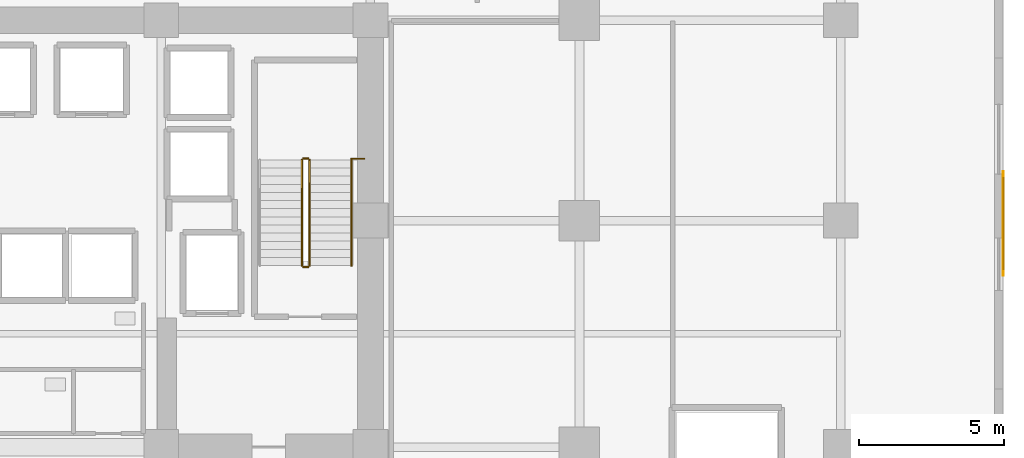
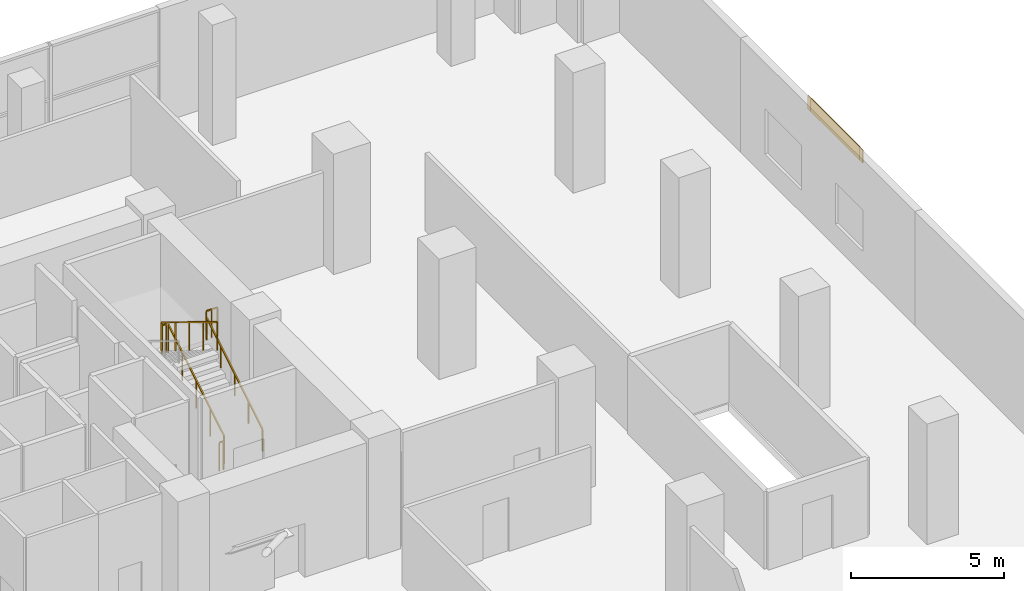
# One storey, part 21 of 22: 6 railings, 1 covering, 1 shading device.
"""IFC4 building model written with IfcOpenShell, lengths in metres."""

from ifc_helpers import new_model, si_unit, direction, frame, origin, origin_2d, place, context, subcontext, project, spatial, rectangle, extrude, source, transform, mapped, material, layer, layer_set, type_object, element, save


model = new_model("IFC4")

# Units and contexts
model_context = context("Model", 3, precision=1e-05, world=origin(), true_north=direction((0.0, 1.0)))
body_context = subcontext(model_context, "Body", "Model", "MODEL_VIEW")
ifc_project = project(units=[si_unit("LENGTHUNIT", "METRE"), si_unit("AREAUNIT", "SQUARE_METRE"), si_unit("VOLUMEUNIT", "CUBIC_METRE"), si_unit("PLANEANGLEUNIT", "RADIAN"), si_unit("MASSUNIT", "GRAM", prefix="KILO")], contexts=[model_context])

# Site, building, storey
site_placement = place(None, origin())
site = spatial("IfcSite", under=ifc_project, at=site_placement, CompositionType="ELEMENT")
building_placement = place(site_placement, origin())
building = spatial("IfcBuilding", under=site, at=building_placement, Name="Zarnakvel Exchange Tower", CompositionType="ELEMENT")
storey_placement = place(building_placement, frame((0.0, 0.0, 22.60009765625)))
storey = spatial("IfcBuildingStorey", under=building, at=storey_placement, Name="L05", CompositionType="ELEMENT", Elevation=22.60009765625)

# Railings
ifc_material_1 = material(Name="Brushed Stainless Steel", Category="steel")
railing_type_1 = type_object("IfcRailingType", Name="HR-01", PredefinedType="HANDRAIL", material=ifc_material_1)
railing_1_placement = place(storey_placement, frame((13.75, 5.050048828125, 0.17138671875)))
element("IfcRailing", 1, at=railing_1_placement, inside=storey, type_object=railing_type_1, Name="L05 ST-02 stair handrail 1", PredefinedType="HANDRAIL", context=body_context, shape_type="SweptSolid", body=[
    extrude(rectangle(XDim=0.048095703125, YDim=0.048095703125, at=origin_2d()), frame((0.0, 0.0, 0.8759765625), z_axis=(0.0, 0.852850264322, 0.5221555579), x_axis=(-1.0, 0.0, 0.0)), (0.0, 0.0, 1.0), 4.267822265625),
    extrude(rectangle(XDim=0.0419921875, YDim=0.0419921875, at=origin_2d()), origin(), (0.0, 0.0, 1.0), 0.851806640625),
    extrude(rectangle(XDim=0.0419921875, YDim=0.0419921875, at=origin_2d()), frame((0.0, 0.909912109375, 0.55712890625)), (0.0, 0.0, 1.0), 0.851806640625),
    extrude(rectangle(XDim=0.0419921875, YDim=0.0419921875, at=origin_2d()), frame((0.0, 1.81982421875, 1.1142578125)), (0.0, 0.0, 1.0), 0.851806640625),
    extrude(rectangle(XDim=0.0419921875, YDim=0.0419921875, at=origin_2d()), frame((0.0, 2.72998046875, 1.67138671875)), (0.0, 0.0, 1.0), 0.851806640625),
    extrude(rectangle(XDim=0.0419921875, YDim=0.0419921875, at=origin_2d()), frame((0.0, 3.639892578125, 2.228515625)), (0.0, 0.0, 1.0), 0.851806640625),
])
ifc_material_2 = material(Name="Architectural Bronze Anodised Aluminium", Category="aluminium")
railing_type_2 = type_object("IfcRailingType", Name="SG-01", PredefinedType="GUARDRAIL", material=ifc_material_2)
railing_2_placement = place(storey_placement, frame((12.300048828125, 5.050048828125, 0.17138671875)))
element("IfcRailing", 2, at=railing_2_placement, inside=storey, type_object=railing_type_2, Name="L05 ST-02 stair guard 1", PredefinedType="GUARDRAIL", context=body_context, shape_type="SweptSolid", body=[
    extrude(rectangle(XDim=0.048095703125, YDim=0.048095703125, at=origin_2d()), frame((0.0, 0.0, 1.1259765625), z_axis=(0.0, 0.852850264322, 0.5221555579), x_axis=(-1.0, 0.0, 0.0)), (0.0, 0.0, 1.0), 4.267822265625),
    extrude(rectangle(XDim=0.0419921875, YDim=0.0419921875, at=origin_2d()), origin(), (0.0, 0.0, 1.0), 1.101806640625),
    extrude(rectangle(XDim=0.0419921875, YDim=0.0419921875, at=origin_2d()), frame((0.0, 0.909912109375, 0.55712890625)), (0.0, 0.0, 1.0), 1.101806640625),
    extrude(rectangle(XDim=0.0419921875, YDim=0.0419921875, at=origin_2d()), frame((0.0, 1.81982421875, 1.1142578125)), (0.0, 0.0, 1.0), 1.101806640625),
    extrude(rectangle(XDim=0.0419921875, YDim=0.0419921875, at=origin_2d()), frame((0.0, 2.72998046875, 1.67138671875)), (0.0, 0.0, 1.0), 1.101806640625),
    extrude(rectangle(XDim=0.0419921875, YDim=0.0419921875, at=origin_2d()), frame((0.0, 3.639892578125, 2.228515625)), (0.0, 0.0, 1.0), 1.101806640625),
])
railing_3_placement = place(storey_placement, frame((12.25, 8.739990234375, 2.39990234375)))
element("IfcRailing", 3, at=railing_3_placement, inside=storey, type_object=railing_type_2, Name="L05 ST-02 stair guard 2", PredefinedType="GUARDRAIL", context=body_context, shape_type="SweptSolid", body=[
    extrude(rectangle(XDim=0.048095703125, YDim=0.048095703125, at=origin_2d()), frame((0.0, 0.0, 1.1259765625), z_axis=(-1.0, 0.0, 0.0), x_axis=(0.0, -1.0, 0.0)), (0.0, 0.0, 1.0), 0.159912109375),
    extrude(rectangle(XDim=0.0419921875, YDim=0.0419921875, at=origin_2d()), origin(), (0.0, 0.0, 1.0), 1.101806640625),
    extrude(rectangle(XDim=0.0419921875, YDim=0.0419921875, at=origin_2d()), frame((-0.159912109375, 0.0, 0.0)), (0.0, 0.0, 1.0), 1.101806640625),
])
railing_4_placement = place(storey_placement, frame((12.0400390625, 8.68994140625, 2.5712890625)))
element("IfcRailing", 4, at=railing_4_placement, inside=storey, type_object=railing_type_2, Name="L05 ST-02 stair guard 3", PredefinedType="GUARDRAIL", context=body_context, shape_type="SweptSolid", body=[
    extrude(rectangle(XDim=0.048095703125, YDim=0.048095703125, at=origin_2d()), frame((0.0, 0.0, 1.1259765625), z_axis=(0.0, -0.852850264322, 0.5221555579), x_axis=(1.0, 0.0, 0.0)), (0.0, 0.0, 1.0), 4.267822265625),
    extrude(rectangle(XDim=0.0419921875, YDim=0.0419921875, at=origin_2d()), origin(), (0.0, 0.0, 1.0), 1.101806640625),
    extrude(rectangle(XDim=0.0419921875, YDim=0.0419921875, at=origin_2d()), frame((0.0, -0.909912109375, 0.55712890625)), (0.0, 0.0, 1.0), 1.101806640625),
    extrude(rectangle(XDim=0.0419921875, YDim=0.0419921875, at=origin_2d()), frame((0.0, -1.81982421875, 1.1142578125)), (0.0, 0.0, 1.0), 1.101806640625),
    extrude(rectangle(XDim=0.0419921875, YDim=0.0419921875, at=origin_2d()), frame((0.0, -2.72998046875, 1.67138671875)), (0.0, 0.0, 1.0), 1.101806640625),
    extrude(rectangle(XDim=0.0419921875, YDim=0.0419921875, at=origin_2d()), frame((0.0, -3.639892578125, 2.228515625)), (0.0, 0.0, 1.0), 1.101806640625),
])
railing_5_placement = place(storey_placement, frame((12.25, 5.0, 0.0)))
element("IfcRailing", 5, at=railing_5_placement, inside=storey, type_object=railing_type_2, Name="L05 ST-02 stair guard 4", PredefinedType="GUARDRAIL", context=body_context, shape_type="SweptSolid", body=[
    extrude(rectangle(XDim=0.048095703125, YDim=0.048095703125, at=origin_2d()), frame((0.0, 0.0, 1.1259765625), z_axis=(-1.0, 0.0, 0.0), x_axis=(0.0, -1.0, 0.0)), (0.0, 0.0, 1.0), 0.159912109375),
    extrude(rectangle(XDim=0.0419921875, YDim=0.0419921875, at=origin_2d()), origin(), (0.0, 0.0, 1.0), 1.101806640625),
    extrude(rectangle(XDim=0.0419921875, YDim=0.0419921875, at=origin_2d()), frame((-0.159912109375, 0.0, 0.0)), (0.0, 0.0, 1.0), 1.101806640625),
])
railing_6_placement = place(storey_placement, frame((13.75, 8.72998046875, 2.39990234375)))
element("IfcRailing", 6, at=railing_6_placement, inside=storey, type_object=railing_type_2, Name="L05 ST-02 Landing Slot Guardrail", PredefinedType="GUARDRAIL", context=body_context, shape_type="SweptSolid", body=[
    extrude(rectangle(XDim=0.048095703125, YDim=0.048095703125, at=origin_2d()), frame((0.0, 0.0, 1.1259765625), z_axis=(1.0, 0.0, 0.0), x_axis=(0.0, 1.0, 0.0)), (0.0, 0.0, 1.0), 0.429931640625),
    extrude(rectangle(XDim=0.0419921875, YDim=0.0419921875, at=origin_2d()), origin(), (0.0, 0.0, 1.0), 1.101806640625),
    extrude(rectangle(XDim=0.0419921875, YDim=0.0419921875, at=origin_2d()), frame((0.21484375, 0.0, 0.0)), (0.0, 0.0, 1.0), 1.101806640625),
    extrude(rectangle(XDim=0.0419921875, YDim=0.0419921875, at=origin_2d()), frame((0.429931640625, 0.0, 0.0)), (0.0, 0.0, 1.0), 1.101806640625),
])

# Shading device
ifc_material_3 = material(Name="Perforated Architectural Bronze Screen", Category="aluminium")
ifc_layer_1 = layer(ifc_material_3, 0.044921875)
ifc_layer_set_1 = layer_set([ifc_layer_1], Name="Perforated Architectural Bronze Screen")
shading_device_type = type_object("IfcShadingDeviceType", Name="SS-01", PredefinedType="JALOUSIE", material=ifc_layer_set_1)
shared_shape_1 = source(origin(), body_context, "Body", "SweptSolid", [
    extrude(rectangle(XDim=3.199951171875, YDim=0.044921875, at=origin_2d()), origin(), (0.0, 0.0, 1.0), 0.52001953125),
])
shading_device_placement = place(storey_placement, frame((36.200439453125, 6.5, 4.010009765625), z_axis=(0.0, 0.0, 1.0), x_axis=(0.0, -1.0, 0.0)))
element("IfcShadingDevice", 7, at=shading_device_placement, inside=storey, type_object=shading_device_type, Name="L05 Bronze Solar Shading Screen SS-01", PredefinedType="JALOUSIE", context=body_context, shape_type="MappedRepresentation", body=[
    mapped(shared_shape_1, transform((0.0, 0.0, 0.0), x_axis=(1.0, 0.0, 0.0), y_axis=(0.0, 1.0, 0.0), z_axis=(0.0, 0.0, 1.0), scale=1.0)),
])

# Covering
ifc_material_4 = material(Name="Warm Sandstone Terracotta Spandrel Tile", Category="masonry")
ifc_layer_2 = layer(ifc_material_4, 0.031982421875)
ifc_layer_set_2 = layer_set([ifc_layer_2], Name="Warm Sandstone Terracotta Spandrel Tile")
covering_type = type_object("IfcCoveringType", Name="CL-02", PredefinedType="CLADDING", material=ifc_layer_set_2)
shared_shape_2 = source(origin(), body_context, "Body", "SweptSolid", [
    extrude(rectangle(XDim=3.60009765625, YDim=0.031982421875, at=origin_2d()), origin(), (0.0, 0.0, 1.0), 0.52001953125),
])
covering_placement = place(storey_placement, frame((36.194091796875, 6.5, 4.010009765625), z_axis=(0.0, 0.0, 1.0), x_axis=(0.0, -1.0, 0.0)))
element("IfcCovering", 8, at=covering_placement, inside=storey, type_object=covering_type, Name="L05 Ceramic Spandrel Tilework CL-02", PredefinedType="CLADDING", context=body_context, shape_type="MappedRepresentation", body=[
    mapped(shared_shape_2, transform((0.0, 0.0, 0.0), x_axis=(1.0, 0.0, 0.0), y_axis=(0.0, 1.0, 0.0), z_axis=(0.0, 0.0, 1.0), scale=1.0)),
])

save(model, "model.ifc")
